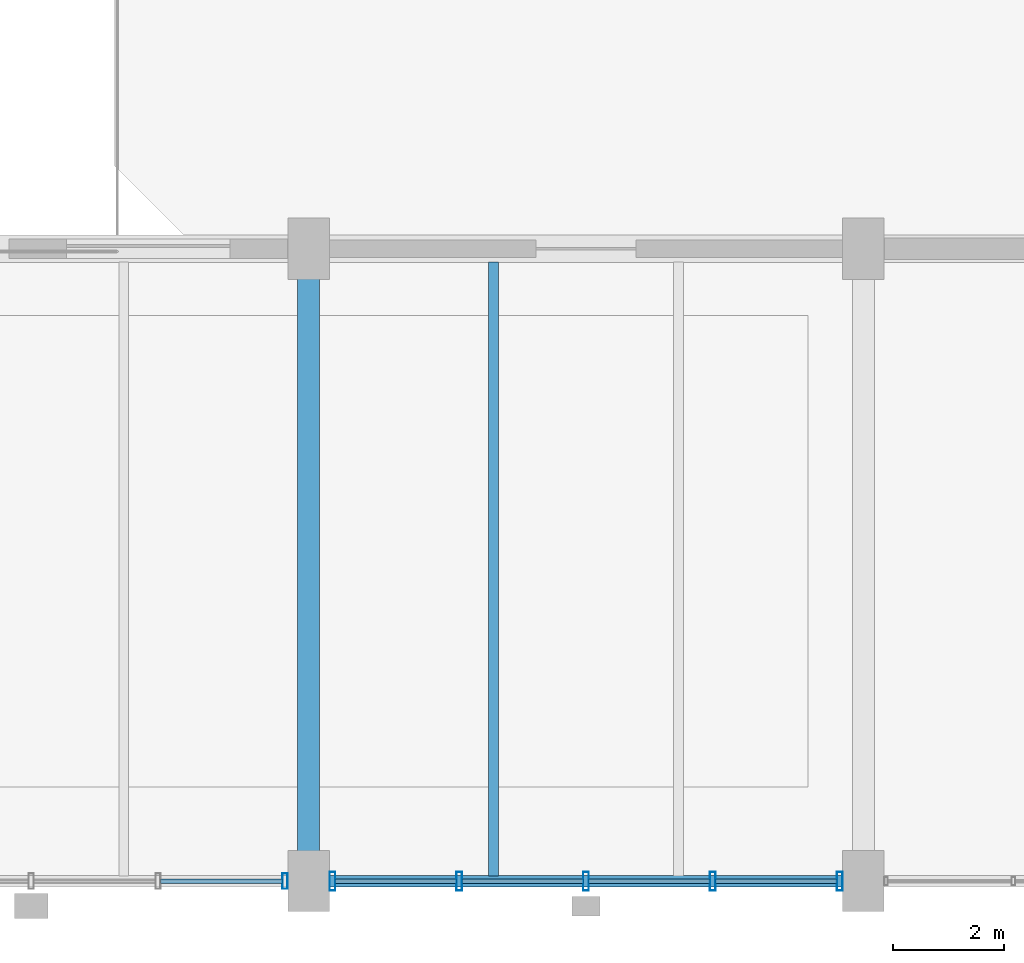
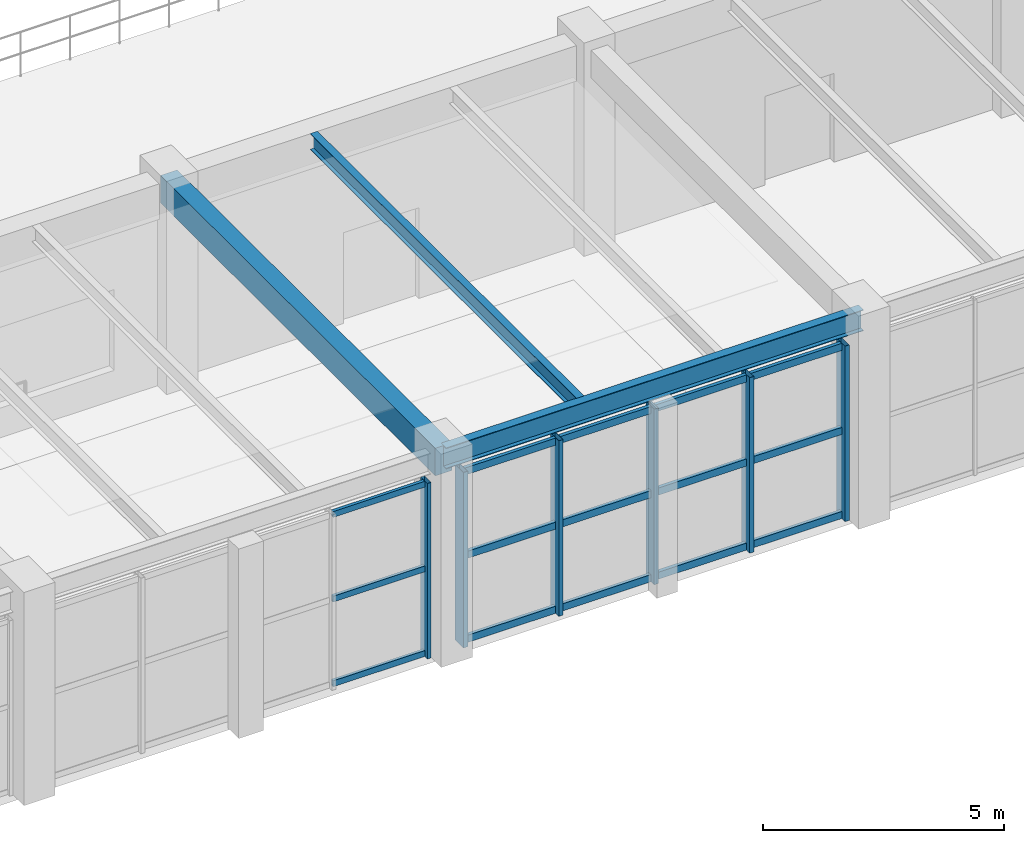
# One storey, part 28 of 106: 21 members, 3 beams, 2 elements without a shape of their own.
"""IFC4 building model written with IfcOpenShell, lengths in metres."""

from ifc_helpers import new_model, si_unit, direction, frame, origin, origin_2d, place, context, subcontext, project, spatial, rectangle, hollow_rectangle, i_section, extrude, material, layer, layer_set, material_profile, profile_set, type_object, element, aggregate, save


model = new_model("IFC4")

# Units and contexts
model_context = context("Model", 3, precision=1e-05, world=origin(), true_north=direction((0.0, 1.0)))
body_context = subcontext(model_context, "Body", "Model", "MODEL_VIEW")
ifc_project = project(units=[si_unit("LENGTHUNIT", "METRE"), si_unit("AREAUNIT", "SQUARE_METRE"), si_unit("VOLUMEUNIT", "CUBIC_METRE"), si_unit("PLANEANGLEUNIT", "RADIAN"), si_unit("MASSUNIT", "GRAM", prefix="KILO"), si_unit("POWERUNIT", "WATT"), si_unit("THERMODYNAMICTEMPERATUREUNIT", "KELVIN")], contexts=[model_context])

# Site, building, storey
site_placement = place(None, origin())
site = spatial("IfcSite", under=ifc_project, at=site_placement, CompositionType="ELEMENT")
building_placement = place(site_placement, origin())
building = spatial("IfcBuilding", under=site, at=building_placement, Name="Kelmbourne Parkland Aquatics Centre", CompositionType="ELEMENT")
storey_placement = place(building_placement, frame((0.0, 0.0, 5.39990234375)))
storey = spatial("IfcBuildingStorey", under=building, at=storey_placement, Name="L01", CompositionType="ELEMENT", Elevation=5.39990234375)

# Beams
ifc_material_1 = material(Name="Concrete C40/50", Category="concrete")
ifc_material_profile_1 = material_profile(ifc_material_1, rectangle(XDim=0.39990234375, YDim=0.699951171875, at=origin_2d()), Name="RC 400x700")
ifc_profile_set_1 = profile_set([ifc_material_profile_1], Name="Concrete C40/50")
beam_type_1 = type_object("IfcBeamType", Name="BM-G05", PredefinedType="BEAM", material=ifc_profile_set_1)
beam_1_placement = place(storey_placement, frame((66.0, 0.800048828125, 4.81005859375), z_axis=(0.0, 1.0, 0.0), x_axis=(-1.0, 0.0, 0.0)))
element("IfcBeam", 1, at=beam_1_placement, inside=storey, type_object=beam_type_1, Name="Primary girder 01-03 Grid I (L02_FOY)", PredefinedType="BEAM", context=body_context, shape_type="SweptSolid", body=[
    extrude(rectangle(XDim=0.39990234375, YDim=0.699951171875, at=origin_2d()), origin(), (0.0, 0.0, 1.0), 11.39990234375),
])
ifc_material_2 = material(Name="Structural steel AS/NZS 3679.1 Grade 300", Category="steel")
ifc_material_profile_2 = material_profile(ifc_material_2, i_section(OverallWidth=0.177978515625, OverallDepth=0.406005859375, WebThickness=0.0078125, FlangeThickness=0.0126953125, at=origin_2d()), Name="410UB59.7")
ifc_profile_set_2 = profile_set([ifc_material_profile_2], Name="Structural steel AS/NZS 3679.1 Grade 300")
beam_type_2 = type_object("IfcBeamType", Name="BM-J01", PredefinedType="JOIST", material=ifc_profile_set_2)
beam_2_placement = place(storey_placement, frame((69.333251953125, 0.896484375, 4.95703125), z_axis=(0.0, 1.0, 0.0), x_axis=(-1.0, 0.0, 0.0)))
element("IfcBeam", 2, at=beam_2_placement, inside=storey, type_object=beam_type_2, Name="Secondary floor joist I-J/01-03 #1 (L02_FOY)", PredefinedType="JOIST", context=body_context, shape_type="SweptSolid", body=[
    extrude(i_section(OverallWidth=0.177978515625, OverallDepth=0.406005859375, WebThickness=0.0078125, FlangeThickness=0.0126953125, at=origin_2d()), origin(), (0.0, 0.0, 1.0), 11.0615234375),
])
ifc_material_profile_3 = material_profile(ifc_material_2, i_section(OverallWidth=0.208984375, OverallDepth=0.532958984375, WebThickness=0.01025390625, FlangeThickness=0.015625, at=origin_2d()), Name="530UB92.4")
ifc_profile_set_3 = profile_set([ifc_material_profile_3], Name="Structural steel AS/NZS 3679.1 Grade 300")
beam_type_3 = type_object("IfcBeamType", Name="BM-SP02", PredefinedType="SPANDREL", material=ifc_profile_set_3)
beam_3_placement = place(storey_placement, frame((66.0, 0.800048828125, 4.8935546875), z_axis=(1.0, 0.0, 0.0), x_axis=(0.0, 1.0, 0.0)))
element("IfcBeam", 3, at=beam_3_placement, inside=storey, type_object=beam_type_3, Name="Perimeter spandrel I-J Grid 01 (L02_FOY)", PredefinedType="SPANDREL", context=body_context, shape_type="SweptSolid", body=[
    extrude(i_section(OverallWidth=0.208984375, OverallDepth=0.532958984375, WebThickness=0.01025390625, FlangeThickness=0.015625, at=origin_2d()), origin(), (0.0, 0.0, 1.0), 10.0),
])

# Curtain wall, member
ifc_material_3 = material(Name="Thermally broken anodised aluminium framing", Category="aluminium")
ifc_layer_1 = layer(ifc_material_3, 0.179931640625)
ifc_layer_set_1 = layer_set([ifc_layer_1], Name="Thermally broken anodised aluminium framing")
curtain_wall_type_1 = type_object("IfcCurtainWallType", Name="CW-19", PredefinedType="NOTDEFINED", material=ifc_layer_set_1)
curtain_wall_1_placement = place(storey_placement, origin())
curtain_wall_1 = element("IfcCurtainWall", 4, at=curtain_wall_1_placement, inside=storey, type_object=curtain_wall_type_1, Name="Facade curtain wall CW-L01-163", PredefinedType="NOTDEFINED")
ifc_material_profile_4 = material_profile(ifc_material_3, hollow_rectangle(XDim=0.094970703125, YDim=0.280029296875, WallThickness=0.005615234375, at=origin_2d()), Name="CW-M 95x280")
ifc_profile_set_4 = profile_set([ifc_material_profile_4], Name="Thermally broken anodised aluminium framing")
member_type_1 = type_object("IfcMemberType", Name="MB-MUL-4", PredefinedType="MULLION", material=ifc_profile_set_4)
member_1_placement = place(storey_placement, frame((65.575439453125, 0.800048828125, 0.0), z_axis=(0.0, 0.0, 1.0), x_axis=(1.0, 0.0, 0.0)))
member_1 = element("IfcMember", 5, at=member_1_placement, type_object=member_type_1, Name="CW-L01-163 mullion 4", PredefinedType="MULLION", context=body_context, shape_type="SweptSolid", body=[
    extrude(hollow_rectangle(XDim=0.094970703125, YDim=0.280029296875, WallThickness=0.005615234375, at=origin_2d()), origin(), (0.0, 0.0, 1.0), 4.445068359375),
])

# Curtain wall, members
ifc_layer_2 = layer(ifc_material_3, 0.179931640625)
ifc_layer_set_2 = layer_set([ifc_layer_2], Name="Thermally broken anodised aluminium framing")
curtain_wall_type_2 = type_object("IfcCurtainWallType", Name="CW-20", PredefinedType="NOTDEFINED", material=ifc_layer_set_2)
curtain_wall_2_placement = place(storey_placement, origin())
curtain_wall_2 = element("IfcCurtainWall", 6, at=curtain_wall_2_placement, inside=storey, type_object=curtain_wall_type_2, Name="Facade curtain wall CW-L01-164", PredefinedType="NOTDEFINED")
ifc_material_profile_5 = material_profile(ifc_material_3, hollow_rectangle(XDim=0.10498046875, YDim=0.340087890625, WallThickness=0.006103515625, at=origin_2d()), Name="CW-M 105x340")
ifc_profile_set_5 = profile_set([ifc_material_profile_5], Name="Thermally broken anodised aluminium framing")
member_type_2 = type_object("IfcMemberType", Name="MB-MUL-5", PredefinedType="MULLION", material=ifc_profile_set_5)
member_2_placement = place(storey_placement, frame((66.429443359375, 0.800048828125, 0.0), z_axis=(0.0, 0.0, 1.0), x_axis=(1.0, 0.0, 0.0)))
member_2 = element("IfcMember", 7, at=member_2_placement, type_object=member_type_2, Name="CW-L01-164 mullion 0", PredefinedType="MULLION", context=body_context, shape_type="SweptSolid", body=[
    extrude(hollow_rectangle(XDim=0.10498046875, YDim=0.340087890625, WallThickness=0.006103515625, at=origin_2d()), origin(), (0.0, 0.0, 1.0), 4.445068359375),
])
member_3_placement = place(storey_placement, frame((68.71484375, 0.800048828125, 0.0), z_axis=(0.0, 0.0, 1.0), x_axis=(1.0, 0.0, 0.0)))
member_3 = element("IfcMember", 8, at=member_3_placement, type_object=member_type_2, Name="CW-L01-164 mullion 1", PredefinedType="MULLION", context=body_context, shape_type="SweptSolid", body=[
    extrude(hollow_rectangle(XDim=0.10498046875, YDim=0.340087890625, WallThickness=0.006103515625, at=origin_2d()), origin(), (0.0, 0.0, 1.0), 4.445068359375),
])
member_4_placement = place(storey_placement, frame((71.0, 0.800048828125, 0.0), z_axis=(0.0, 0.0, 1.0), x_axis=(1.0, 0.0, 0.0)))
member_4 = element("IfcMember", 9, at=member_4_placement, type_object=member_type_2, Name="CW-L01-164 mullion 2", PredefinedType="MULLION", context=body_context, shape_type="SweptSolid", body=[
    extrude(hollow_rectangle(XDim=0.10498046875, YDim=0.340087890625, WallThickness=0.006103515625, at=origin_2d()), origin(), (0.0, 0.0, 1.0), 4.445068359375),
])
member_5_placement = place(storey_placement, frame((73.285400390625, 0.800048828125, 0.0), z_axis=(0.0, 0.0, 1.0), x_axis=(1.0, 0.0, 0.0)))
member_5 = element("IfcMember", 10, at=member_5_placement, type_object=member_type_2, Name="CW-L01-164 mullion 3", PredefinedType="MULLION", context=body_context, shape_type="SweptSolid", body=[
    extrude(hollow_rectangle(XDim=0.10498046875, YDim=0.340087890625, WallThickness=0.006103515625, at=origin_2d()), origin(), (0.0, 0.0, 1.0), 4.445068359375),
])
member_6_placement = place(storey_placement, frame((75.570556640625, 0.800048828125, 0.0), z_axis=(0.0, 0.0, 1.0), x_axis=(1.0, 0.0, 0.0)))
member_6 = element("IfcMember", 11, at=member_6_placement, type_object=member_type_2, Name="CW-L01-164 mullion 4", PredefinedType="MULLION", context=body_context, shape_type="SweptSolid", body=[
    extrude(hollow_rectangle(XDim=0.10498046875, YDim=0.340087890625, WallThickness=0.006103515625, at=origin_2d()), origin(), (0.0, 0.0, 1.0), 4.445068359375),
])

# Member
ifc_material_profile_6 = material_profile(ifc_material_3, hollow_rectangle(XDim=0.074951171875, YDim=0.14990234375, WallThickness=0.00390625, at=origin_2d()), Name="CW-T 75x150")
ifc_profile_set_6 = profile_set([ifc_material_profile_6], Name="Thermally broken anodised aluminium framing")
member_type_3 = type_object("IfcMemberType", Name="MB-TRN-2", PredefinedType="USERDEFINED", material=ifc_profile_set_6)
member_7_placement = place(storey_placement, frame((63.331298828125, 0.800048828125, 0.078125), z_axis=(1.0, 0.0, 0.0), x_axis=(0.0, 1.0, 0.0)))
member_7 = element("IfcMember", 12, at=member_7_placement, type_object=member_type_3, Name="CW-L01-163 transom 0-3", ObjectType="TRANSOM", PredefinedType="USERDEFINED", context=body_context, shape_type="SweptSolid", body=[
    extrude(hollow_rectangle(XDim=0.074951171875, YDim=0.14990234375, WallThickness=0.00390625, at=origin_2d()), origin(), (0.0, 0.0, 1.0), 2.20068359375),
])

member_8_placement = place(storey_placement, frame((63.331298828125, 0.800048828125, 2.22265625), z_axis=(1.0, 0.0, 0.0), x_axis=(0.0, 1.0, 0.0)))
member_8 = element("IfcMember", 13, at=member_8_placement, type_object=member_type_3, Name="CW-L01-163 transom 1-3", ObjectType="TRANSOM", PredefinedType="USERDEFINED", context=body_context, shape_type="SweptSolid", body=[
    extrude(hollow_rectangle(XDim=0.074951171875, YDim=0.14990234375, WallThickness=0.00390625, at=origin_2d()), origin(), (0.0, 0.0, 1.0), 2.20068359375),
])

member_9_placement = place(storey_placement, frame((63.331298828125, 0.800048828125, 4.3671875), z_axis=(1.0, 0.0, 0.0), x_axis=(0.0, 1.0, 0.0)))
member_9 = element("IfcMember", 14, at=member_9_placement, type_object=member_type_3, Name="CW-L01-163 transom 2-3", ObjectType="TRANSOM", PredefinedType="USERDEFINED", context=body_context, shape_type="SweptSolid", body=[
    extrude(hollow_rectangle(XDim=0.074951171875, YDim=0.14990234375, WallThickness=0.00390625, at=origin_2d()), origin(), (0.0, 0.0, 1.0), 2.20068359375),
])

aggregate(curtain_wall_1, [member_1, member_7, member_8, member_9])

ifc_material_profile_7 = material_profile(ifc_material_3, hollow_rectangle(XDim=0.0849609375, YDim=0.179931640625, WallThickness=0.00439453125, at=origin_2d()), Name="CW-T 85x180")
ifc_profile_set_7 = profile_set([ifc_material_profile_7], Name="Thermally broken anodised aluminium framing")
member_type_4 = type_object("IfcMemberType", Name="MB-TRN-3", PredefinedType="USERDEFINED", material=ifc_profile_set_7)
member_10_placement = place(storey_placement, frame((66.47802734375, 0.800048828125, 0.093017578125), z_axis=(1.0, 0.0, 0.0), x_axis=(0.0, 1.0, 0.0)))
member_10 = element("IfcMember", 15, at=member_10_placement, type_object=member_type_4, Name="CW-L01-164 transom 0-0", ObjectType="TRANSOM", PredefinedType="USERDEFINED", context=body_context, shape_type="SweptSolid", body=[
    extrude(hollow_rectangle(XDim=0.0849609375, YDim=0.179931640625, WallThickness=0.00439453125, at=origin_2d()), origin(), (0.0, 0.0, 1.0), 2.188232421875),
])

member_11_placement = place(storey_placement, frame((68.76318359375, 0.800048828125, 0.093017578125), z_axis=(1.0, 0.0, 0.0), x_axis=(0.0, 1.0, 0.0)))
member_11 = element("IfcMember", 16, at=member_11_placement, type_object=member_type_4, Name="CW-L01-164 transom 0-1", ObjectType="TRANSOM", PredefinedType="USERDEFINED", context=body_context, shape_type="SweptSolid", body=[
    extrude(hollow_rectangle(XDim=0.0849609375, YDim=0.179931640625, WallThickness=0.00439453125, at=origin_2d()), origin(), (0.0, 0.0, 1.0), 2.188232421875),
])

member_12_placement = place(storey_placement, frame((71.048583984375, 0.800048828125, 0.093017578125), z_axis=(1.0, 0.0, 0.0), x_axis=(0.0, 1.0, 0.0)))
member_12 = element("IfcMember", 17, at=member_12_placement, type_object=member_type_4, Name="CW-L01-164 transom 0-2", ObjectType="TRANSOM", PredefinedType="USERDEFINED", context=body_context, shape_type="SweptSolid", body=[
    extrude(hollow_rectangle(XDim=0.0849609375, YDim=0.179931640625, WallThickness=0.00439453125, at=origin_2d()), origin(), (0.0, 0.0, 1.0), 2.188232421875),
])

member_13_placement = place(storey_placement, frame((73.333740234375, 0.800048828125, 0.093017578125), z_axis=(1.0, 0.0, 0.0), x_axis=(0.0, 1.0, 0.0)))
member_13 = element("IfcMember", 18, at=member_13_placement, type_object=member_type_4, Name="CW-L01-164 transom 0-3", ObjectType="TRANSOM", PredefinedType="USERDEFINED", context=body_context, shape_type="SweptSolid", body=[
    extrude(hollow_rectangle(XDim=0.0849609375, YDim=0.179931640625, WallThickness=0.00439453125, at=origin_2d()), origin(), (0.0, 0.0, 1.0), 2.188232421875),
])

member_14_placement = place(storey_placement, frame((66.47802734375, 0.800048828125, 2.22265625), z_axis=(1.0, 0.0, 0.0), x_axis=(0.0, 1.0, 0.0)))
member_14 = element("IfcMember", 19, at=member_14_placement, type_object=member_type_4, Name="CW-L01-164 transom 1-0", ObjectType="TRANSOM", PredefinedType="USERDEFINED", context=body_context, shape_type="SweptSolid", body=[
    extrude(hollow_rectangle(XDim=0.0849609375, YDim=0.179931640625, WallThickness=0.00439453125, at=origin_2d()), origin(), (0.0, 0.0, 1.0), 2.188232421875),
])

member_15_placement = place(storey_placement, frame((68.76318359375, 0.800048828125, 2.22265625), z_axis=(1.0, 0.0, 0.0), x_axis=(0.0, 1.0, 0.0)))
member_15 = element("IfcMember", 20, at=member_15_placement, type_object=member_type_4, Name="CW-L01-164 transom 1-1", ObjectType="TRANSOM", PredefinedType="USERDEFINED", context=body_context, shape_type="SweptSolid", body=[
    extrude(hollow_rectangle(XDim=0.0849609375, YDim=0.179931640625, WallThickness=0.00439453125, at=origin_2d()), origin(), (0.0, 0.0, 1.0), 2.188232421875),
])

member_16_placement = place(storey_placement, frame((71.048583984375, 0.800048828125, 2.22265625), z_axis=(1.0, 0.0, 0.0), x_axis=(0.0, 1.0, 0.0)))
member_16 = element("IfcMember", 21, at=member_16_placement, type_object=member_type_4, Name="CW-L01-164 transom 1-2", ObjectType="TRANSOM", PredefinedType="USERDEFINED", context=body_context, shape_type="SweptSolid", body=[
    extrude(hollow_rectangle(XDim=0.0849609375, YDim=0.179931640625, WallThickness=0.00439453125, at=origin_2d()), origin(), (0.0, 0.0, 1.0), 2.188232421875),
])

member_17_placement = place(storey_placement, frame((73.333740234375, 0.800048828125, 2.22265625), z_axis=(1.0, 0.0, 0.0), x_axis=(0.0, 1.0, 0.0)))
member_17 = element("IfcMember", 22, at=member_17_placement, type_object=member_type_4, Name="CW-L01-164 transom 1-3", ObjectType="TRANSOM", PredefinedType="USERDEFINED", context=body_context, shape_type="SweptSolid", body=[
    extrude(hollow_rectangle(XDim=0.0849609375, YDim=0.179931640625, WallThickness=0.00439453125, at=origin_2d()), origin(), (0.0, 0.0, 1.0), 2.188232421875),
])

member_18_placement = place(storey_placement, frame((66.47802734375, 0.800048828125, 4.35205078125), z_axis=(1.0, 0.0, 0.0), x_axis=(0.0, 1.0, 0.0)))
member_18 = element("IfcMember", 23, at=member_18_placement, type_object=member_type_4, Name="CW-L01-164 transom 2-0", ObjectType="TRANSOM", PredefinedType="USERDEFINED", context=body_context, shape_type="SweptSolid", body=[
    extrude(hollow_rectangle(XDim=0.0849609375, YDim=0.179931640625, WallThickness=0.00439453125, at=origin_2d()), origin(), (0.0, 0.0, 1.0), 2.188232421875),
])

member_19_placement = place(storey_placement, frame((68.76318359375, 0.800048828125, 4.35205078125), z_axis=(1.0, 0.0, 0.0), x_axis=(0.0, 1.0, 0.0)))
member_19 = element("IfcMember", 24, at=member_19_placement, type_object=member_type_4, Name="CW-L01-164 transom 2-1", ObjectType="TRANSOM", PredefinedType="USERDEFINED", context=body_context, shape_type="SweptSolid", body=[
    extrude(hollow_rectangle(XDim=0.0849609375, YDim=0.179931640625, WallThickness=0.00439453125, at=origin_2d()), origin(), (0.0, 0.0, 1.0), 2.188232421875),
])

member_20_placement = place(storey_placement, frame((71.048583984375, 0.800048828125, 4.35205078125), z_axis=(1.0, 0.0, 0.0), x_axis=(0.0, 1.0, 0.0)))
member_20 = element("IfcMember", 25, at=member_20_placement, type_object=member_type_4, Name="CW-L01-164 transom 2-2", ObjectType="TRANSOM", PredefinedType="USERDEFINED", context=body_context, shape_type="SweptSolid", body=[
    extrude(hollow_rectangle(XDim=0.0849609375, YDim=0.179931640625, WallThickness=0.00439453125, at=origin_2d()), origin(), (0.0, 0.0, 1.0), 2.188232421875),
])

member_21_placement = place(storey_placement, frame((73.333740234375, 0.800048828125, 4.35205078125), z_axis=(1.0, 0.0, 0.0), x_axis=(0.0, 1.0, 0.0)))
member_21 = element("IfcMember", 26, at=member_21_placement, type_object=member_type_4, Name="CW-L01-164 transom 2-3", ObjectType="TRANSOM", PredefinedType="USERDEFINED", context=body_context, shape_type="SweptSolid", body=[
    extrude(hollow_rectangle(XDim=0.0849609375, YDim=0.179931640625, WallThickness=0.00439453125, at=origin_2d()), origin(), (0.0, 0.0, 1.0), 2.188232421875),
])

aggregate(curtain_wall_2, [member_2, member_3, member_4, member_5, member_6, member_10, member_11, member_12, member_13, member_14, member_15, member_16, member_17, member_18, member_19, member_20, member_21])

save(model, "model.ifc")
